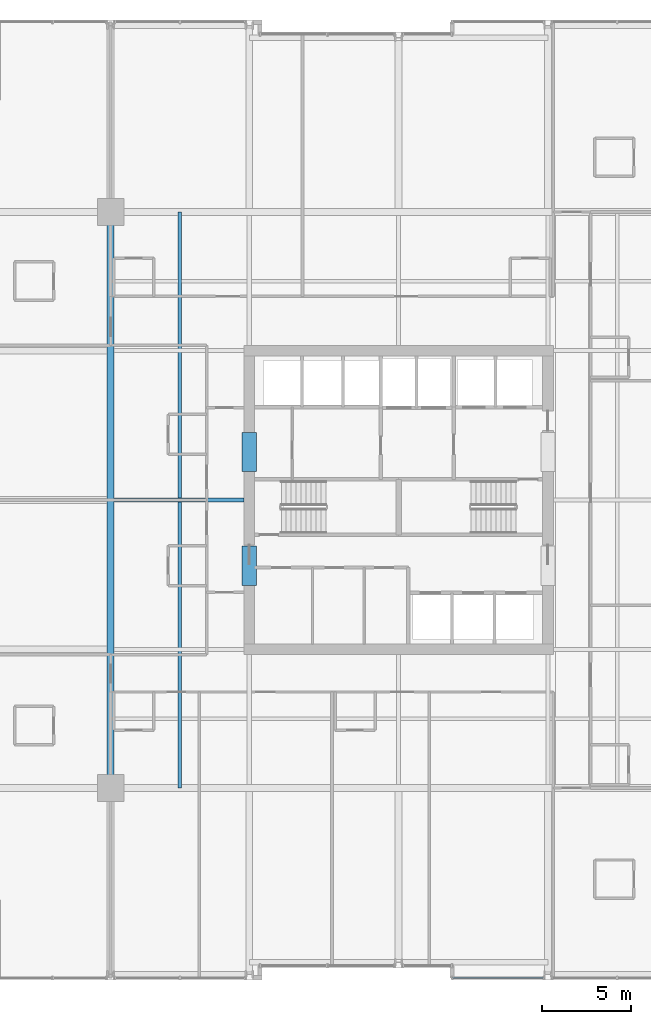
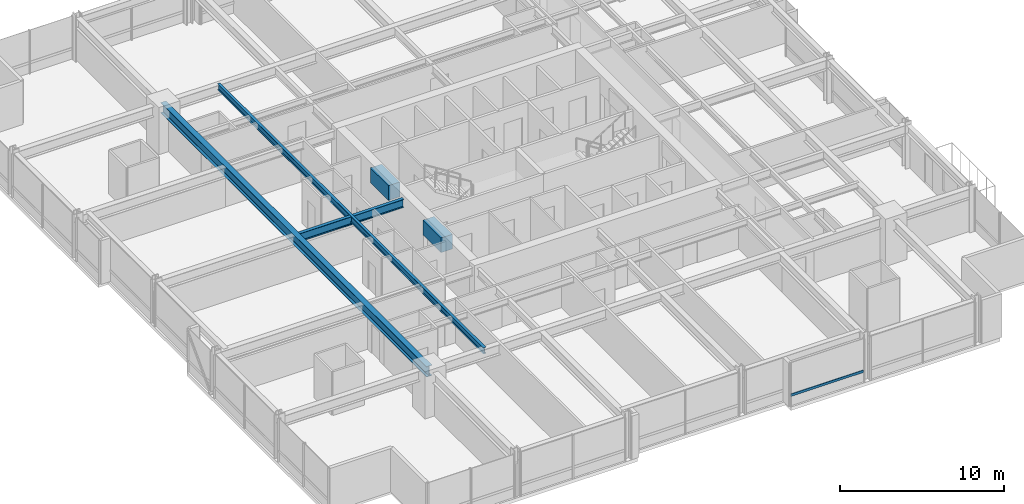
# One storey, part 10 of 34: 5 beams, 1 member, 1 element without a shape of its own.
"""IFC4 building model written with IfcOpenShell, lengths in metres."""

from ifc_helpers import new_model, si_unit, direction, frame, origin, origin_2d, place, context, subcontext, project, spatial, rectangle, hollow_rectangle, i_section, extrude, material, layer, layer_set, material_profile, profile_set, type_object, element, aggregate, save


model = new_model("IFC4")

# Units and contexts
model_context = context("Model", 3, precision=1e-05, world=origin(), true_north=direction((0.0, 1.0)))
body_context = subcontext(model_context, "Body", "Model", "MODEL_VIEW")
ifc_project = project(units=[si_unit("LENGTHUNIT", "METRE"), si_unit("AREAUNIT", "SQUARE_METRE"), si_unit("VOLUMEUNIT", "CUBIC_METRE"), si_unit("PLANEANGLEUNIT", "RADIAN"), si_unit("MASSUNIT", "GRAM", prefix="KILO")], contexts=[model_context])

# Site, building, storey
site_placement = place(None, origin())
site = spatial("IfcSite", under=ifc_project, at=site_placement, CompositionType="ELEMENT")
building_placement = place(site_placement, origin())
building = spatial("IfcBuilding", under=site, at=building_placement, Name="Drelvath Grand Hotel", CompositionType="ELEMENT")
storey_placement = place(building_placement, frame((0.0, 0.0, 112.800048828125)))
storey = spatial("IfcBuildingStorey", under=building, at=storey_placement, Name="L28", CompositionType="ELEMENT", Elevation=112.800048828125)

# Beams
ifc_material_1 = material(Name="Steel ASTM A992 Gr 50", Category="steel")
ifc_material_profile_1 = material_profile(ifc_material_1, i_section(OverallWidth=0.19140625, OverallDepth=0.4599609375, WebThickness=0.010009765625, FlangeThickness=0.01611328125, FilletRadius=0.01611328125, at=origin_2d()), Name="W18X55")
ifc_profile_set_1 = profile_set([ifc_material_profile_1], Name="Steel ASTM A992 Gr 50")
beam_type_1 = type_object("IfcBeamType", Name="Composite Floor Joist W18X55", PredefinedType="JOIST", material=ifc_profile_set_1)
beam_1_placement = place(storey_placement, frame((-12.300048828125, 10.800048828125, 3.010009765625), z_axis=(0.0, 1.0, 0.0), x_axis=(-1.0, 0.0, 0.0)))
element("IfcBeam", 1, at=beam_1_placement, inside=storey, type_object=beam_type_1, Name="L28 Wing Floor Joist J3", PredefinedType="JOIST", context=body_context, shape_type="SweptSolid", body=[
    extrude(i_section(OverallWidth=0.19140625, OverallDepth=0.4599609375, WebThickness=0.010009765625, FlangeThickness=0.01611328125, FilletRadius=0.01611328125, at=origin_2d()), origin(), (0.0, 0.0, 1.0), 32.39990234375),
])
ifc_material_2 = material(Name="Concrete f'c 70 MPa", Category="concrete")
ifc_material_profile_2 = material_profile(ifc_material_2, rectangle(XDim=0.800048828125, YDim=1.10009765625, at=origin_2d()), Name="CB800X1100")
ifc_profile_set_2 = profile_set([ifc_material_profile_2], Name="Concrete f'c 70 MPa")
beam_type_2 = type_object("IfcBeamType", Name="Core Coupling Lintel CB800X1100", PredefinedType="LINTEL", material=ifc_profile_set_2)
for number, where, z_axis, x_axis, name in (
    (2, (-8.39990234375, 22.199951171875, 2.68994140625), (0.0, 1.0, 0.0), (-1.0, 0.0, 0.0), "L28 Core Coupling Lintel WS"),
    (3, (-8.39990234375, 28.60009765625, 2.68994140625), (0.0, 1.0, 0.0), (-1.0, 0.0, 0.0), "L28 Core Coupling Lintel WN"),
):
    element("IfcBeam", number, at=place(storey_placement, frame(where, z_axis=z_axis, x_axis=x_axis)), inside=storey, type_object=beam_type_2, Name=name, PredefinedType="LINTEL", context=body_context, shape_type="SweptSolid", body=[
        extrude(rectangle(XDim=0.800048828125, YDim=1.10009765625, at=origin_2d()), origin(), (0.0, 0.0, 1.0), 2.199951171875),
    ])

# Curtain wall, member
ifc_material_3 = material(Name="Champagne Bronze Anodised Aluminium Frame", Category="aluminium")
ifc_layer = layer(ifc_material_3, 0.199951171875)
ifc_layer_set = layer_set([ifc_layer], Name="Champagne Bronze Anodised Aluminium Frame")
curtain_wall_type = type_object("IfcCurtainWallType", Name="Stick Curtain Wall CW-03 Champagne Bronze Mid-Rise", PredefinedType="NOTDEFINED", material=ifc_layer_set)
curtain_wall_placement = place(storey_placement, origin())
curtain_wall = element("IfcCurtainWall", 4, at=curtain_wall_placement, inside=storey, type_object=curtain_wall_type, Name="L28 CW-03 Curtain Wall CW03-L28-SE1", PredefinedType="NOTDEFINED")
ifc_material_profile_3 = material_profile(ifc_material_3, hollow_rectangle(XDim=0.074951171875, YDim=0.179931640625, WallThickness=0.0048828125, at=origin_2d()), Name="HSS180X75X5")
ifc_profile_set_3 = profile_set([ifc_material_profile_3], Name="Champagne Bronze Anodised Aluminium Frame")
member_type = type_object("IfcMemberType", Name="Curtain Wall Horizontal Transom CW-03 HSS180X75X5", PredefinedType="USERDEFINED", material=ifc_profile_set_3)
member_placement = place(storey_placement, frame((8.140380859375, 0.1201171875, 0.81005859375), z_axis=(-1.0, 0.0, 0.0), x_axis=(0.0, -1.0, 0.0)))
member = element("IfcMember", 5, at=member_placement, type_object=member_type, Name="CW03-L28-SE1 Sill Transom", ObjectType="TRANSOM", PredefinedType="USERDEFINED", context=body_context, shape_type="SweptSolid", body=[
    extrude(hollow_rectangle(XDim=0.074951171875, YDim=0.179931640625, WallThickness=0.0048828125, at=origin_2d()), origin(), (0.0, 0.0, 1.0), 5.100341796875),
])
aggregate(curtain_wall, [member])

# Beams
ifc_material_profile_4 = material_profile(ifc_material_1, i_section(OverallWidth=0.228271484375, OverallDepth=0.607666015625, WebThickness=0.01123046875, FlangeThickness=0.017333984375, FilletRadius=0.02001953125, at=origin_2d()), Name="W24X76")
ifc_profile_set_4 = profile_set([ifc_material_profile_4], Name="Steel ASTM A992 Gr 50")
beam_type_3 = type_object("IfcBeamType", Name="Primary Floor Girder W24X76", PredefinedType="BEAM", material=ifc_profile_set_4)
beam_2_placement = place(storey_placement, frame((-16.009765625, 27.0, 2.93603515625), z_axis=(1.0, 0.0, 0.0), x_axis=(0.0, 1.0, 0.0)))
element("IfcBeam", 6, at=beam_2_placement, inside=storey, type_object=beam_type_3, Name="L28 West Core Tie E", PredefinedType="BEAM", context=body_context, shape_type="SweptSolid", body=[
    extrude(i_section(OverallWidth=0.228271484375, OverallDepth=0.607666015625, WebThickness=0.01123046875, FlangeThickness=0.017333984375, FilletRadius=0.02001953125, at=origin_2d()), origin(), (0.0, 0.0, 1.0), 7.309814453125),
])
ifc_material_profile_5 = material_profile(ifc_material_1, i_section(OverallWidth=0.380615234375, OverallDepth=0.773193359375, WebThickness=0.0166015625, FlangeThickness=0.027099609375, FilletRadius=0.02490234375, at=origin_2d()), Name="W30X173")
ifc_profile_set_5 = profile_set([ifc_material_profile_5], Name="Steel ASTM A992 Gr 50")
beam_type_4 = type_object("IfcBeamType", Name="Primary Floor Girder W30X173", PredefinedType="BEAM", material=ifc_profile_set_5)
beam_3_placement = place(storey_placement, frame((-16.199951171875, 10.800048828125, 2.853271484375), z_axis=(0.0, 1.0, 0.0), x_axis=(-1.0, 0.0, 0.0)))
element("IfcBeam", 7, at=beam_3_placement, inside=storey, type_object=beam_type_4, Name="L28 Mega Ring Girder West", PredefinedType="BEAM", context=body_context, shape_type="SweptSolid", body=[
    extrude(i_section(OverallWidth=0.380615234375, OverallDepth=0.773193359375, WebThickness=0.0166015625, FlangeThickness=0.027099609375, FilletRadius=0.02490234375, at=origin_2d()), origin(), (0.0, 0.0, 1.0), 32.39990234375),
])

save(model, "model.ifc")
